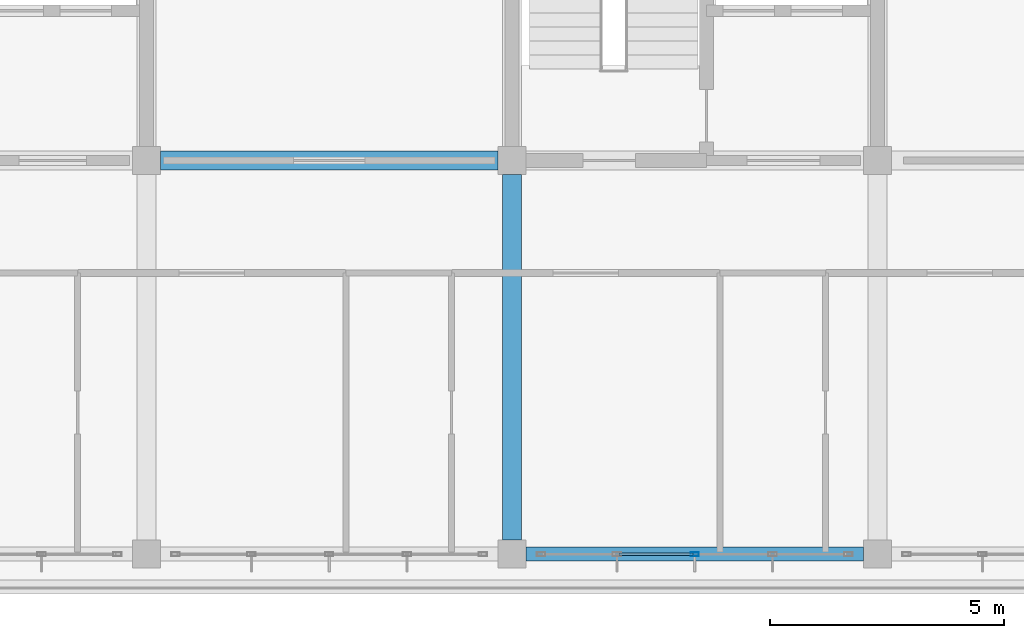
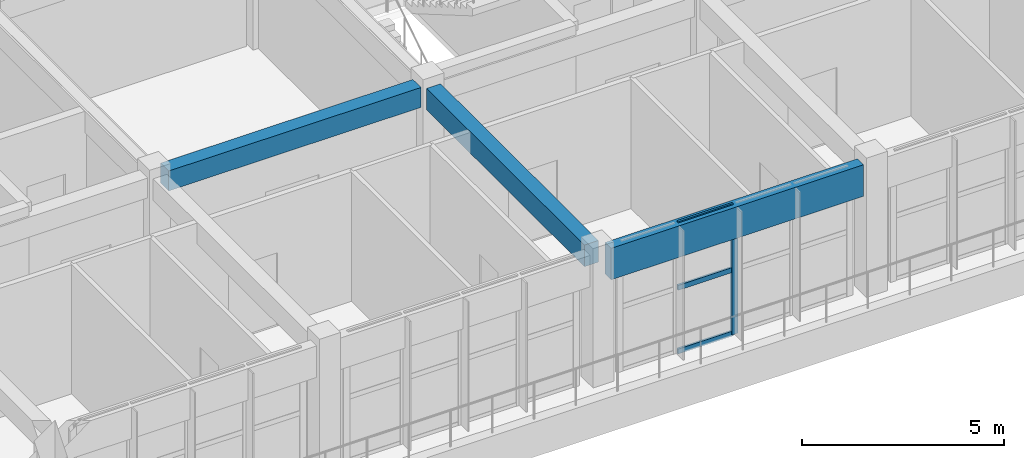
# One storey, part 21 of 56: 4 members, 3 beams, 1 element without a shape of its own.
"""IFC4 building model written with IfcOpenShell, lengths in metres."""

from ifc_helpers import new_model, si_unit, direction, frame, origin, origin_2d, place, context, subcontext, project, spatial, rectangle, hollow_rectangle, extrude, material, layer, layer_set, material_profile, profile_set, type_object, element, aggregate, save


model = new_model("IFC4")

# Units and contexts
model_context = context("Model", 3, precision=1e-05, world=origin(), true_north=direction((0.0, 1.0)))
body_context = subcontext(model_context, "Body", "Model", "MODEL_VIEW")
ifc_project = project(units=[si_unit("LENGTHUNIT", "METRE"), si_unit("AREAUNIT", "SQUARE_METRE"), si_unit("VOLUMEUNIT", "CUBIC_METRE"), si_unit("PLANEANGLEUNIT", "RADIAN"), si_unit("MASSUNIT", "GRAM", prefix="KILO")], contexts=[model_context])

# Site, building, storey
site_placement = place(None, origin())
site = spatial("IfcSite", under=ifc_project, at=site_placement, CompositionType="ELEMENT")
building_placement = place(site_placement, origin())
building = spatial("IfcBuilding", under=site, at=building_placement, Name="Zizhar Promenade General Hospital", CompositionType="ELEMENT")
storey_placement = place(building_placement, frame((0.0, 0.0, 26.39990234375)))
storey = spatial("IfcBuildingStorey", under=building, at=storey_placement, Name="L06", CompositionType="ELEMENT", Elevation=26.39990234375)

# Beams
ifc_material_1 = material(Name="Precast concrete C40/50", Category="concrete")
ifc_material_profile_1 = material_profile(ifc_material_1, rectangle(XDim=0.300048828125, YDim=0.949951171875, at=origin_2d()))
ifc_profile_set_1 = profile_set([ifc_material_profile_1], Name="Precast concrete C40/50")
beam_type_1 = type_object("IfcBeamType", Name="BM-PC-BAND950", PredefinedType="SPANDREL", material=ifc_profile_set_1)
beam_1_placement = place(storey_placement, frame((93.89990234375, 0.0, 3.43505859375), z_axis=(1.0, 0.0, 0.0), x_axis=(0.0, 1.0, 0.0)))
element("IfcBeam", 1, at=beam_1_placement, inside=storey, type_object=beam_type_1, Name="Grid Beam X L06 (12-0)", PredefinedType="SPANDREL", context=body_context, shape_type="SweptSolid", body=[
    extrude(rectangle(XDim=0.300048828125, YDim=0.949951171875, at=origin_2d()), origin(), (0.0, 0.0, 1.0), 7.2001953125),
])
ifc_material_2 = material(Name="Concrete C35/45", Category="concrete")
ifc_material_profile_2 = material_profile(ifc_material_2, rectangle(XDim=0.39990234375, YDim=0.60009765625, at=origin_2d()))
ifc_profile_set_2 = profile_set([ifc_material_profile_2], Name="Concrete C35/45")
beam_type_2 = type_object("IfcBeamType", Name="BM-RC-400x600", PredefinedType="JOIST", material=ifc_profile_set_2)
beam_2_placement = place(storey_placement, frame((86.10009765625, 8.39990234375, 3.610107421875), z_axis=(1.0, 0.0, 0.0), x_axis=(0.0, 1.0, 0.0)))
element("IfcBeam", 2, at=beam_2_placement, inside=storey, type_object=beam_type_2, Name="Grid Beam X L06 (11-1)", PredefinedType="JOIST", context=body_context, shape_type="SweptSolid", body=[
    extrude(rectangle(XDim=0.39990234375, YDim=0.60009765625, at=origin_2d()), origin(), (0.0, 0.0, 1.0), 7.199951171875),
])
ifc_material_3 = material(Name="Concrete C35/45", Category="concrete")
ifc_material_profile_3 = material_profile(ifc_material_3, rectangle(XDim=0.39990234375, YDim=0.64990234375, at=origin_2d()))
ifc_profile_set_3 = profile_set([ifc_material_profile_3], Name="Concrete C35/45")
beam_type_3 = type_object("IfcBeamType", Name="BM-RC-400x650", PredefinedType="BEAM", material=ifc_profile_set_3)
beam_3_placement = place(storey_placement, frame((93.60009765625, 0.300048828125, 3.585205078125), z_axis=(0.0, 1.0, 0.0), x_axis=(-1.0, 0.0, 0.0)))
element("IfcBeam", 3, at=beam_3_placement, inside=storey, type_object=beam_type_3, Name="Grid Beam Y L06 (12-0)", PredefinedType="BEAM", context=body_context, shape_type="SweptSolid", body=[
    extrude(rectangle(XDim=0.39990234375, YDim=0.64990234375, at=origin_2d()), origin(), (0.0, 0.0, 1.0), 7.800048828125),
])

# Curtain wall, members
ifc_material_4 = material(Name="Anodised aluminium 6063-T6 and low-E glass", Category="aluminium")
ifc_layer = layer(ifc_material_4, 0.159912109375)
ifc_layer_set = layer_set([ifc_layer], Name="Anodised aluminium 6063-T6 and low-E glass")
curtain_wall_type = type_object("IfcCurtainWallType", Name="CW-WARD-RIB", PredefinedType="NOTDEFINED", material=ifc_layer_set)
curtain_wall_placement = place(storey_placement, origin())
curtain_wall = element("IfcCurtainWall", 4, at=curtain_wall_placement, inside=storey, type_object=curtain_wall_type, Name="Ward Ribbon Curtain Wall L06-17-2", PredefinedType="NOTDEFINED")
ifc_material_5 = material(Name="Anodised aluminium 6063-T6", Category="aluminium")
ifc_material_profile_4 = material_profile(ifc_material_5, hollow_rectangle(XDim=0.080078125, YDim=0.179931640625, WallThickness=0.0048828125, at=origin_2d()))
ifc_profile_set_4 = profile_set([ifc_material_profile_4], Name="Anodised aluminium 6063-T6")
member_type_1 = type_object("IfcMemberType", Name="CWM-ALU-180x80", PredefinedType="MULLION", material=ifc_profile_set_4)
member_1_placement = place(storey_placement, frame((97.5, 0.0, 0.0), z_axis=(0.0, 0.0, 1.0), x_axis=(0.0, -1.0, 0.0)))
member_1 = element("IfcMember", 5, at=member_1_placement, type_object=member_type_1, Name="CW-13 mullion 3", PredefinedType="MULLION", context=body_context, shape_type="SweptSolid", body=[
    extrude(hollow_rectangle(XDim=0.080078125, YDim=0.179931640625, WallThickness=0.0048828125, at=origin_2d()), origin(), (0.0, 0.0, 1.0), 3.900146484375),
])
ifc_material_6 = material(Name="Anodised aluminium 6063-T6", Category="aluminium")
ifc_material_profile_5 = material_profile(ifc_material_6, hollow_rectangle(XDim=0.06005859375, YDim=0.14990234375, WallThickness=0.00390625, at=origin_2d()))
ifc_profile_set_5 = profile_set([ifc_material_profile_5], Name="Anodised aluminium 6063-T6")
member_type_2 = type_object("IfcMemberType", Name="CWT-ALU-150x60", PredefinedType="USERDEFINED", material=ifc_profile_set_5)
member_2_placement = place(storey_placement, frame((97.4599609375, 0.0, 0.030029296875), z_axis=(-1.0, 0.0, 0.0), x_axis=(0.0, -1.0, 0.0)))
member_2 = element("IfcMember", 6, at=member_2_placement, type_object=member_type_2, Name="CW-13 transom 3.1", ObjectType="TRANSOM", PredefinedType="USERDEFINED", context=body_context, shape_type="SweptSolid", body=[
    extrude(hollow_rectangle(XDim=0.06005859375, YDim=0.14990234375, WallThickness=0.00390625, at=origin_2d()), origin(), (0.0, 0.0, 1.0), 1.580078125),
])
member_3_placement = place(storey_placement, frame((97.4599609375, 0.0, 1.9501953125), z_axis=(-1.0, 0.0, 0.0), x_axis=(0.0, -1.0, 0.0)))
member_3 = element("IfcMember", 7, at=member_3_placement, type_object=member_type_2, Name="CW-13 transom 3.2", ObjectType="TRANSOM", PredefinedType="USERDEFINED", context=body_context, shape_type="SweptSolid", body=[
    extrude(hollow_rectangle(XDim=0.06005859375, YDim=0.14990234375, WallThickness=0.00390625, at=origin_2d()), origin(), (0.0, 0.0, 1.0), 1.580078125),
])
member_4_placement = place(storey_placement, frame((97.4599609375, 0.0, 3.8701171875), z_axis=(-1.0, 0.0, 0.0), x_axis=(0.0, -1.0, 0.0)))
member_4 = element("IfcMember", 8, at=member_4_placement, type_object=member_type_2, Name="CW-13 transom 3.3", ObjectType="TRANSOM", PredefinedType="USERDEFINED", context=body_context, shape_type="SweptSolid", body=[
    extrude(hollow_rectangle(XDim=0.06005859375, YDim=0.14990234375, WallThickness=0.00390625, at=origin_2d()), origin(), (0.0, 0.0, 1.0), 1.580078125),
])
aggregate(curtain_wall, [member_1, member_2, member_3, member_4])

save(model, "model.ifc")
